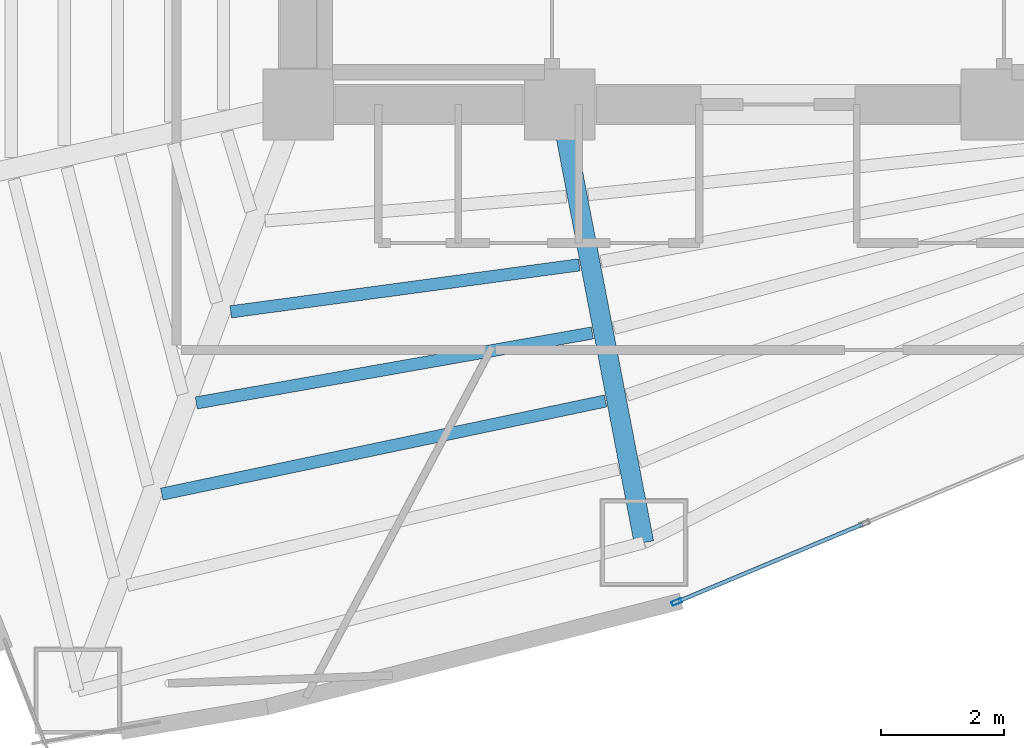
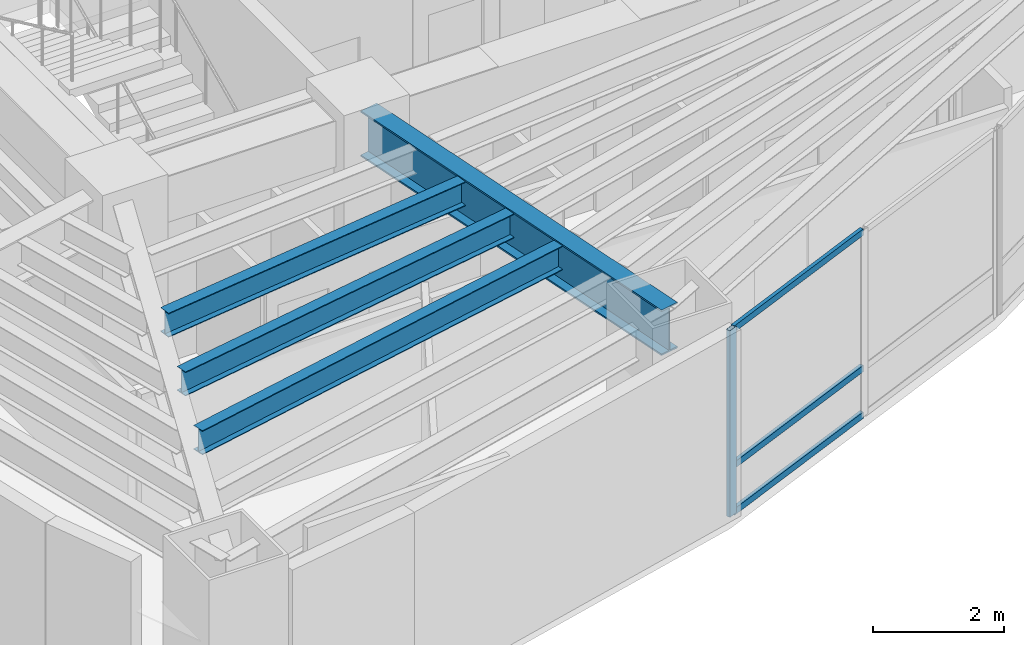
# One storey, part 2 of 18: 4 beams, 4 members, 1 element without a shape of its own.
"""IFC4 building model written with IfcOpenShell, lengths in metres."""

from ifc_helpers import new_model, si_unit, direction, frame, origin, origin_2d, place, context, subcontext, project, spatial, hollow_rectangle, i_section, extrude, material, layer, layer_set, material_profile, profile_set, type_object, element, aggregate, save


model = new_model("IFC4")

# Units and contexts
model_context = context("Model", 3, precision=1e-05, world=origin(), true_north=direction((0.0, 1.0)))
body_context = subcontext(model_context, "Body", "Model", "MODEL_VIEW")
ifc_project = project(units=[si_unit("LENGTHUNIT", "METRE"), si_unit("AREAUNIT", "SQUARE_METRE"), si_unit("VOLUMEUNIT", "CUBIC_METRE"), si_unit("PLANEANGLEUNIT", "RADIAN"), si_unit("MASSUNIT", "GRAM", prefix="KILO")], contexts=[model_context])

# Site, building, storey
site_placement = place(None, origin())
site = spatial("IfcSite", under=ifc_project, at=site_placement, CompositionType="ELEMENT")
building_placement = place(site_placement, origin())
building = spatial("IfcBuilding", under=site, at=building_placement, Name="Menara Vayukalpa", CompositionType="ELEMENT")
storey_placement = place(building_placement, frame((0.0, 0.0, 31.320068359375)))
storey = spatial("IfcBuildingStorey", under=building, at=storey_placement, Name="L06", CompositionType="ELEMENT", Elevation=31.320068359375)

# Beams
ifc_material_1 = material(Name="Steel S355", Category="steel")
ifc_material_profile_1 = material_profile(ifc_material_1, i_section(OverallWidth=0.320068359375, OverallDepth=0.85009765625, WebThickness=0.01611328125, FlangeThickness=0.030029296875, at=origin_2d()), Name="WF 850x320x16x30")
ifc_profile_set_1 = profile_set([ifc_material_profile_1], Name="Steel S355")
beam_type_1 = type_object("IfcBeamType", Name="BM-PG2", PredefinedType="BEAM", material=ifc_profile_set_1)
beam_1_placement = place(storey_placement, frame((22.09716796875, 16.95458984375, 3.044921875), z_axis=(0.188803432672, -0.982014899995, 0.0), x_axis=(0.982014899995, 0.188803432672, 0.0)))
element("IfcBeam", 1, at=beam_1_placement, inside=storey, type_object=beam_type_1, Name="L06 Primary Radial Girder RG08", PredefinedType="BEAM", context=body_context, shape_type="SweptSolid", body=[
    extrude(i_section(OverallWidth=0.320068359375, OverallDepth=0.85009765625, WebThickness=0.01611328125, FlangeThickness=0.030029296875, at=origin_2d()), origin(), (0.0, 0.0, 1.0), 7.00341796875),
])
ifc_material_2 = material(Name="Steel S355", Category="steel")
ifc_material_profile_2 = material_profile(ifc_material_2, i_section(OverallWidth=0.199951171875, OverallDepth=0.449951171875, WebThickness=0.009033203125, FlangeThickness=0.013916015625, at=origin_2d()), Name="WF 450x200x9x14")
ifc_profile_set_2 = profile_set([ifc_material_profile_2], Name="Steel S355")
beam_type_2 = type_object("IfcBeamType", Name="BM-SJ1", PredefinedType="JOIST", material=ifc_profile_set_2)
beam_2_placement = place(storey_placement, frame((16.702392578125, 13.827880859375, 3.244873046875), z_axis=(0.991021966654, 0.13369914588, 0.0), x_axis=(-0.13369914588, 0.991021966654, 0.0)))
element("IfcBeam", 2, at=beam_2_placement, inside=storey, type_object=beam_type_2, Name="L06 Secondary Floor Joist SJ07-2", PredefinedType="JOIST", context=body_context, shape_type="SweptSolid", body=[
    extrude(i_section(OverallWidth=0.199951171875, OverallDepth=0.449951171875, WebThickness=0.009033203125, FlangeThickness=0.013916015625, at=origin_2d()), origin(), (0.0, 0.0, 1.0), 5.71728515625),
])
beam_3_placement = place(storey_placement, frame((16.14208984375, 12.34716796875, 3.244873046875), z_axis=(0.984753096925, 0.173957862993, 0.0), x_axis=(-0.173957862993, 0.984753096925, 0.0)))
element("IfcBeam", 3, at=beam_3_placement, inside=storey, type_object=beam_type_2, Name="L06 Secondary Floor Joist SJ07-3", PredefinedType="JOIST", context=body_context, shape_type="SweptSolid", body=[
    extrude(i_section(OverallWidth=0.199951171875, OverallDepth=0.449951171875, WebThickness=0.009033203125, FlangeThickness=0.013916015625, at=origin_2d()), origin(), (0.0, 0.0, 1.0), 6.53857421875),
])
beam_4_placement = place(storey_placement, frame((15.581787109375, 10.86474609375, 3.244873046875), z_axis=(0.978676146728, 0.205409346977, 0.0), x_axis=(-0.205409346977, 0.978676146728, 0.0)))
element("IfcBeam", 4, at=beam_4_placement, inside=storey, type_object=beam_type_2, Name="L06 Secondary Floor Joist SJ07-4", PredefinedType="JOIST", context=body_context, shape_type="SweptSolid", body=[
    extrude(i_section(OverallWidth=0.199951171875, OverallDepth=0.449951171875, WebThickness=0.009033203125, FlangeThickness=0.013916015625, at=origin_2d()), origin(), (0.0, 0.0, 1.0), 7.369140625),
])

# Curtain wall, members
ifc_material_3 = material(Name="Anodised Terracotta Aluminium Alloy 6063-T6", Category="masonry")
ifc_layer = layer(ifc_material_3, 0.1650390625)
ifc_layer_set = layer_set([ifc_layer], Name="Anodised Terracotta Aluminium Alloy 6063-T6")
curtain_wall_type = type_object("IfcCurtainWallType", Name="CW-CW2", PredefinedType="USERDEFINED", material=ifc_layer_set)
curtain_wall_placement = place(storey_placement, origin())
curtain_wall = element("IfcCurtainWall", 5, at=curtain_wall_placement, inside=storey, type_object=curtain_wall_type, Name="L06 Low Rise Terracotta Ribbon Curtain Wall CW2 16", ObjectType="UNITISED", PredefinedType="USERDEFINED")
ifc_material_4 = material(Name="Anodised Terracotta Aluminium Alloy 6063-T6", Category="masonry")
ifc_material_profile_3 = material_profile(ifc_material_4, hollow_rectangle(XDim=0.070068359375, YDim=0.1650390625, WallThickness=0.00390625, at=origin_2d()), Name="ALU 70x165x4")
ifc_profile_set_3 = profile_set([ifc_material_profile_3], Name="Anodised Terracotta Aluminium Alloy 6063-T6")
member_type_1 = type_object("IfcMemberType", Name="CWM-CW2", PredefinedType="MULLION", material=ifc_profile_set_3)
member_1_placement = place(storey_placement, frame((23.950927734375, 9.110595703125, 0.0), z_axis=(0.0, 0.0, 1.0), x_axis=(-0.385895120445, 0.922542658101, 0.0)))
member_1 = element("IfcMember", 6, at=member_1_placement, type_object=member_type_1, Name="CW2 mullion 1", PredefinedType="MULLION", context=body_context, shape_type="SweptSolid", body=[
    extrude(hollow_rectangle(XDim=0.070068359375, YDim=0.1650390625, WallThickness=0.00390625, at=origin_2d()), origin(), (0.0, 0.0, 1.0), 3.469970703125),
])
ifc_material_5 = material(Name="Anodised Terracotta Aluminium Alloy 6063-T6", Category="masonry")
ifc_material_profile_4 = material_profile(ifc_material_5, hollow_rectangle(XDim=0.06494140625, YDim=0.1201171875, WallThickness=0.00341796875, at=origin_2d()), Name="ALU 65x120x3.5")
ifc_profile_set_4 = profile_set([ifc_material_profile_4], Name="Anodised Terracotta Aluminium Alloy 6063-T6")
member_type_2 = type_object("IfcMemberType", Name="CWT-CW2", PredefinedType="USERDEFINED", material=ifc_profile_set_4)
member_2_placement = place(storey_placement, frame((23.983154296875, 9.1240234375, 0.032470703125), z_axis=(0.922552588381, 0.385871379699, 0.0), x_axis=(-0.385871379699, 0.922552588381, 0.0)))
member_2 = element("IfcMember", 7, at=member_2_placement, type_object=member_type_2, Name="CW2 transom 1.1", ObjectType="TRANSOM", PredefinedType="USERDEFINED", context=body_context, shape_type="SweptSolid", body=[
    extrude(hollow_rectangle(XDim=0.06494140625, YDim=0.1201171875, WallThickness=0.00341796875, at=origin_2d()), origin(), (0.0, 0.0, 1.0), 3.24267578125),
])
member_3_placement = place(storey_placement, frame((23.983154296875, 9.1240234375, 0.89990234375), z_axis=(0.922552588381, 0.385871379699, 0.0), x_axis=(-0.385871379699, 0.922552588381, 0.0)))
member_3 = element("IfcMember", 8, at=member_3_placement, type_object=member_type_2, Name="CW2 transom 1.2", ObjectType="TRANSOM", PredefinedType="USERDEFINED", context=body_context, shape_type="SweptSolid", body=[
    extrude(hollow_rectangle(XDim=0.06494140625, YDim=0.1201171875, WallThickness=0.00341796875, at=origin_2d()), origin(), (0.0, 0.0, 1.0), 3.24267578125),
])
member_4_placement = place(storey_placement, frame((23.983154296875, 9.1240234375, 3.4375), z_axis=(0.922552588381, 0.385871379699, 0.0), x_axis=(-0.385871379699, 0.922552588381, 0.0)))
member_4 = element("IfcMember", 9, at=member_4_placement, type_object=member_type_2, Name="CW2 transom 1.3", ObjectType="TRANSOM", PredefinedType="USERDEFINED", context=body_context, shape_type="SweptSolid", body=[
    extrude(hollow_rectangle(XDim=0.06494140625, YDim=0.1201171875, WallThickness=0.00341796875, at=origin_2d()), origin(), (0.0, 0.0, 1.0), 3.24267578125),
])
aggregate(curtain_wall, [member_1, member_2, member_3, member_4])

save(model, "model.ifc")
